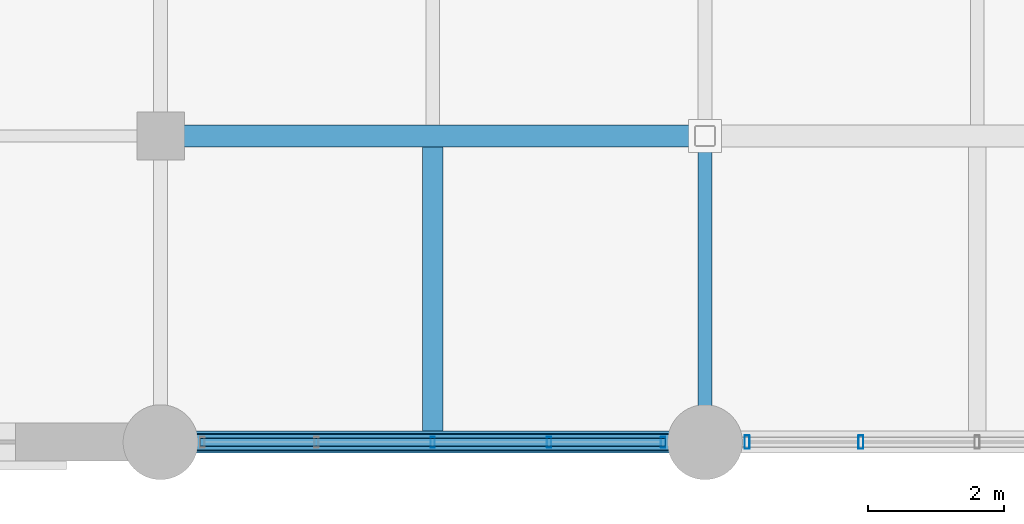
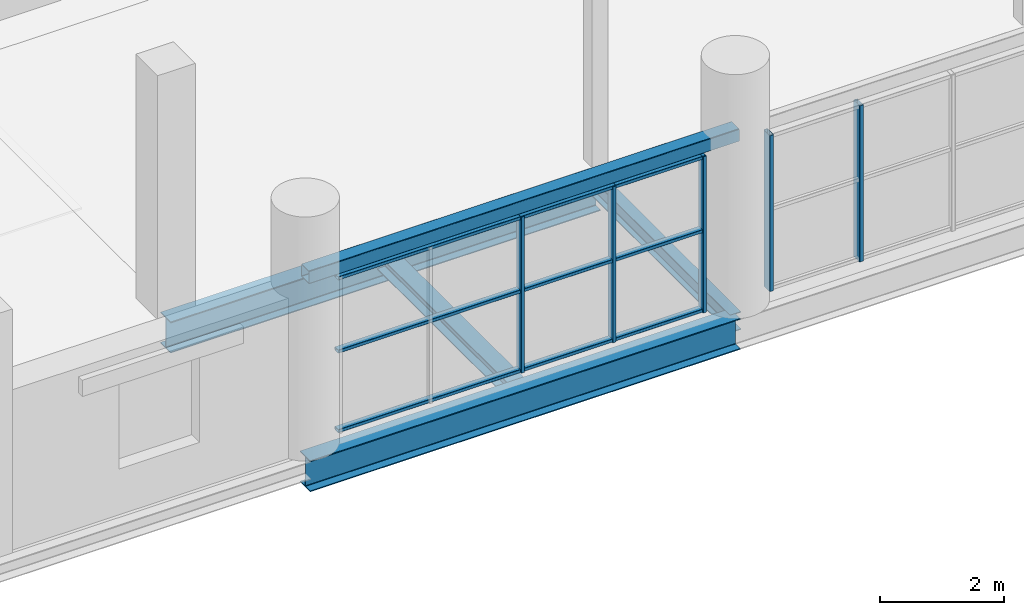
# One storey, part 15 of 114: 8 members, 5 beams, 2 elements without a shape of their own.
"""IFC4 building model written with IfcOpenShell, lengths in metres."""

from ifc_helpers import new_model, si_unit, direction, frame, origin, origin_2d, place, context, subcontext, project, spatial, hollow_rectangle, i_section, extrude, material, material_profile, profile_set, type_object, element, aggregate, save


model = new_model("IFC4")

# Units and contexts
model_context = context("Model", 3, precision=1e-05, world=origin(), true_north=direction((0.0, 1.0)))
body_context = subcontext(model_context, "Body", "Model", "MODEL_VIEW")
ifc_project = project(units=[si_unit("LENGTHUNIT", "METRE"), si_unit("AREAUNIT", "SQUARE_METRE"), si_unit("VOLUMEUNIT", "CUBIC_METRE"), si_unit("PLANEANGLEUNIT", "RADIAN"), si_unit("MASSUNIT", "GRAM", prefix="KILO")], contexts=[model_context])

# Site, building, storey
site_placement = place(None, origin())
site = spatial("IfcSite", under=ifc_project, at=site_placement, CompositionType="ELEMENT")
building_placement = place(site_placement, origin())
building = spatial("IfcBuilding", under=site, at=building_placement, Name="Verrall Gate Interchange", CompositionType="ELEMENT")
storey_placement = place(building_placement, frame((0.0, 0.0, 6.60009765625)))
storey = spatial("IfcBuildingStorey", under=building, at=storey_placement, Name="L02", CompositionType="ELEMENT", Elevation=6.60009765625)

# Beams
ifc_material_1 = material(Name="Structural Steel CSA G40.21 350WT Cat 4", Category="steel")
ifc_material_profile_1 = material_profile(ifc_material_1, i_section(OverallWidth=0.323974609375, OverallDepth=0.611083984375, WebThickness=0.0126953125, FlangeThickness=0.01904296875, FilletRadius=0.014892578125, at=origin_2d()), Name="W610x155")
ifc_profile_set_1 = profile_set([ifc_material_profile_1], Name="Structural Steel CSA G40.21 350WT Cat 4")
beam_type_1 = type_object("IfcBeamType", Name="B-08 Structural Beam W610x155", PredefinedType="BEAM", material=ifc_profile_set_1)
for number, where, z_axis, x_axis, name in (
    (1, (36.0, 0.0, -0.585693359375), (1.0, 0.0, 0.0), (0.0, 1.0, 0.0), "L02 Girder BM-L02-1441 (B-08)"),
    (2, (36.0, 4.5, -0.585693359375), (1.0, 0.0, 0.0), (0.0, 1.0, 0.0), "L02 Girder BM-L02-1457 (B-08)"),
):
    element("IfcBeam", number, at=place(storey_placement, frame(where, z_axis=z_axis, x_axis=x_axis)), inside=storey, type_object=beam_type_1, Name=name, PredefinedType="BEAM", context=body_context, shape_type="SweptSolid", body=[
        extrude(i_section(OverallWidth=0.323974609375, OverallDepth=0.611083984375, WebThickness=0.0126953125, FlangeThickness=0.01904296875, FilletRadius=0.014892578125, at=origin_2d()), origin(), (0.0, 0.0, 1.0), 8.0),
    ])
ifc_material_2 = material(Name="Structural Steel CSA G40.21 350W", Category="steel")
ifc_material_profile_2 = material_profile(ifc_material_2, i_section(OverallWidth=0.205078125, OverallDepth=0.35400390625, WebThickness=0.009521484375, FlangeThickness=0.016845703125, FilletRadius=0.012939453125, at=origin_2d()), Name="W360x79")
ifc_profile_set_2 = profile_set([ifc_material_profile_2], Name="Structural Steel CSA G40.21 350W")
beam_type_2 = type_object("IfcBeamType", Name="B-14 Structural Beam W360x79", PredefinedType="BEAM", material=ifc_profile_set_2)
beam_1_placement = place(storey_placement, frame((44.0, 0.0, -0.45703125), z_axis=(0.0, 1.0, 0.0), x_axis=(-1.0, 0.0, 0.0)))
element("IfcBeam", 3, at=beam_1_placement, inside=storey, type_object=beam_type_2, Name="L02 Girder BM-L02-1732 (B-14)", PredefinedType="BEAM", context=body_context, shape_type="SweptSolid", body=[
    extrude(i_section(OverallWidth=0.205078125, OverallDepth=0.35400390625, WebThickness=0.009521484375, FlangeThickness=0.016845703125, FilletRadius=0.012939453125, at=origin_2d()), origin(), (0.0, 0.0, 1.0), 4.5),
])

# Curtain wall, members
ifc_material_3 = material(Name="Thermally Broken Anodized Aluminium Curtain Wall Framing", Category="aluminium")
curtain_wall_type = type_object("IfcCurtainWallType", Name="CW-14 Unitized Curtain Wall 6836x3070", PredefinedType="NOTDEFINED", material=ifc_material_3)
curtain_wall_1_placement = place(storey_placement, origin())
curtain_wall_1 = element("IfcCurtainWall", 4, at=curtain_wall_1_placement, inside=storey, type_object=curtain_wall_type, Name="L02 Unitized Curtain Wall CW-L02-052", PredefinedType="NOTDEFINED")
ifc_material_4 = material(Name="Thermally Broken Anodized Aluminium Curtain Wall Framing", Category="aluminium")
ifc_material_profile_3 = material_profile(ifc_material_4, hollow_rectangle(XDim=0.06494140625, YDim=0.159912109375, WallThickness=0.00390625, InnerFilletRadius=0.00390625, OuterFilletRadius=0.008056640625, at=origin_2d()), Name="CWM160x65x4")
ifc_profile_set_3 = profile_set([ifc_material_profile_3], Name="Thermally Broken Anodized Aluminium Curtain Wall Framing")
member_type_1 = type_object("IfcMemberType", Name="CM-01 Curtain Mullion CWM160x65x4", PredefinedType="MULLION", material=ifc_profile_set_3)
member_1_placement = place(storey_placement, frame((40.0, 0.0, 0.0), z_axis=(0.0, 0.0, 1.0), x_axis=(1.0, 0.0, 0.0)))
member_1 = element("IfcMember", 5, at=member_1_placement, type_object=member_type_1, Name="CW-L02-052 Mullion 3", PredefinedType="MULLION", context=body_context, shape_type="SweptSolid", body=[
    extrude(hollow_rectangle(XDim=0.06494140625, YDim=0.159912109375, WallThickness=0.00390625, InnerFilletRadius=0.00390625, OuterFilletRadius=0.008056640625, at=origin_2d()), origin(), (0.0, 0.0, 1.0), 3.06982421875),
])
member_2_placement = place(storey_placement, frame((41.708984375, 0.0, 0.0), z_axis=(0.0, 0.0, 1.0), x_axis=(1.0, 0.0, 0.0)))
member_2 = element("IfcMember", 6, at=member_2_placement, type_object=member_type_1, Name="CW-L02-052 Mullion 4", PredefinedType="MULLION", context=body_context, shape_type="SweptSolid", body=[
    extrude(hollow_rectangle(XDim=0.06494140625, YDim=0.159912109375, WallThickness=0.00390625, InnerFilletRadius=0.00390625, OuterFilletRadius=0.008056640625, at=origin_2d()), origin(), (0.0, 0.0, 1.0), 3.06982421875),
])
member_3_placement = place(storey_placement, frame((43.385498046875, 0.0, 0.0), z_axis=(0.0, 0.0, 1.0), x_axis=(1.0, 0.0, 0.0)))
member_3 = element("IfcMember", 7, at=member_3_placement, type_object=member_type_1, Name="CW-L02-052 Mullion 5", PredefinedType="MULLION", context=body_context, shape_type="SweptSolid", body=[
    extrude(hollow_rectangle(XDim=0.06494140625, YDim=0.159912109375, WallThickness=0.00390625, InnerFilletRadius=0.00390625, OuterFilletRadius=0.008056640625, at=origin_2d()), origin(), (0.0, 0.0, 1.0), 3.06982421875),
])

curtain_wall_2_placement = place(storey_placement, origin())
curtain_wall_2 = element("IfcCurtainWall", 8, at=curtain_wall_2_placement, inside=storey, type_object=curtain_wall_type, Name="L02 Unitized Curtain Wall CW-L02-053", PredefinedType="NOTDEFINED")
ifc_material_5 = material(Name="Thermally Broken Anodized Aluminium Curtain Wall Framing", Category="aluminium")
ifc_material_profile_4 = material_profile(ifc_material_5, hollow_rectangle(XDim=0.074951171875, YDim=0.199951171875, WallThickness=0.0048828125, InnerFilletRadius=0.0048828125, OuterFilletRadius=0.010009765625, at=origin_2d()), Name="CWM200x75x5")
ifc_profile_set_4 = profile_set([ifc_material_profile_4], Name="Thermally Broken Anodized Aluminium Curtain Wall Framing")
member_type_2 = type_object("IfcMemberType", Name="CM-02 Curtain Mullion CWM200x75x5", PredefinedType="MULLION", material=ifc_profile_set_4)
member_4_placement = place(storey_placement, frame((44.619384765625, 0.0, 0.0), z_axis=(0.0, 0.0, 1.0), x_axis=(1.0, 0.0, 0.0)))
member_4 = element("IfcMember", 9, at=member_4_placement, type_object=member_type_2, Name="CW-L02-053 Mullion 1", PredefinedType="MULLION", context=body_context, shape_type="SweptSolid", body=[
    extrude(hollow_rectangle(XDim=0.074951171875, YDim=0.199951171875, WallThickness=0.0048828125, InnerFilletRadius=0.0048828125, OuterFilletRadius=0.010009765625, at=origin_2d()), origin(), (0.0, 0.0, 1.0), 3.06982421875),
])
member_5_placement = place(storey_placement, frame((46.291015625, 0.0, 0.0), z_axis=(0.0, 0.0, 1.0), x_axis=(1.0, 0.0, 0.0)))
member_5 = element("IfcMember", 10, at=member_5_placement, type_object=member_type_2, Name="CW-L02-053 Mullion 2", PredefinedType="MULLION", context=body_context, shape_type="SweptSolid", body=[
    extrude(hollow_rectangle(XDim=0.074951171875, YDim=0.199951171875, WallThickness=0.0048828125, InnerFilletRadius=0.0048828125, OuterFilletRadius=0.010009765625, at=origin_2d()), origin(), (0.0, 0.0, 1.0), 3.06982421875),
])
aggregate(curtain_wall_2, [member_4, member_5])

# Member
ifc_material_6 = material(Name="Thermally Broken Anodized Aluminium Curtain Wall Framing", Category="aluminium")
ifc_material_profile_5 = material_profile(ifc_material_6, hollow_rectangle(XDim=0.1201171875, YDim=0.06494140625, WallThickness=0.00390625, InnerFilletRadius=0.00390625, OuterFilletRadius=0.008056640625, at=origin_2d()), Name="CWT120x65x4")
ifc_profile_set_5 = profile_set([ifc_material_profile_5], Name="Thermally Broken Anodized Aluminium Curtain Wall Framing")
member_type_3 = type_object("IfcMemberType", Name="CT-01 Curtain Transom CWT120x65x4", PredefinedType="USERDEFINED", material=ifc_profile_set_5)
member_6_placement = place(storey_placement, frame((36.58203125, 0.0, 0.032470703125), z_axis=(1.0, 0.0, 0.0), x_axis=(0.0, 1.0, 0.0)))
member_6 = element("IfcMember", 11, at=member_6_placement, type_object=member_type_3, Name="CW-L02-052 Transom 1", ObjectType="TRANSOM", PredefinedType="USERDEFINED", context=body_context, shape_type="SweptSolid", body=[
    extrude(hollow_rectangle(XDim=0.1201171875, YDim=0.06494140625, WallThickness=0.00390625, InnerFilletRadius=0.00390625, OuterFilletRadius=0.008056640625, at=origin_2d()), origin(), (0.0, 0.0, 1.0), 6.8359375),
])

member_7_placement = place(storey_placement, frame((36.58203125, 0.0, 1.59619140625), z_axis=(1.0, 0.0, 0.0), x_axis=(0.0, 1.0, 0.0)))
member_7 = element("IfcMember", 12, at=member_7_placement, type_object=member_type_3, Name="CW-L02-052 Transom 2", ObjectType="TRANSOM", PredefinedType="USERDEFINED", context=body_context, shape_type="SweptSolid", body=[
    extrude(hollow_rectangle(XDim=0.1201171875, YDim=0.06494140625, WallThickness=0.00390625, InnerFilletRadius=0.00390625, OuterFilletRadius=0.008056640625, at=origin_2d()), origin(), (0.0, 0.0, 1.0), 6.8359375),
])

member_8_placement = place(storey_placement, frame((36.58203125, 0.0, 3.037353515625), z_axis=(1.0, 0.0, 0.0), x_axis=(0.0, 1.0, 0.0)))
member_8 = element("IfcMember", 13, at=member_8_placement, type_object=member_type_3, Name="CW-L02-052 Transom 3", ObjectType="TRANSOM", PredefinedType="USERDEFINED", context=body_context, shape_type="SweptSolid", body=[
    extrude(hollow_rectangle(XDim=0.1201171875, YDim=0.06494140625, WallThickness=0.00390625, InnerFilletRadius=0.00390625, OuterFilletRadius=0.008056640625, at=origin_2d()), origin(), (0.0, 0.0, 1.0), 6.8359375),
])

aggregate(curtain_wall_1, [member_1, member_2, member_3, member_6, member_7, member_8])

# Beams
ifc_material_7 = material(Name="Structural Steel CSA G40.21 350W", Category="steel")
ifc_material_profile_6 = material_profile(ifc_material_7, i_section(OverallWidth=0.306884765625, OverallDepth=0.31396484375, WebThickness=0.011962890625, FlangeThickness=0.018798828125, FilletRadius=0.013916015625, at=origin_2d()), Name="W310x118")
ifc_profile_set_6 = profile_set([ifc_material_profile_6], Name="Structural Steel CSA G40.21 350W")
beam_type_3 = type_object("IfcBeamType", Name="J-02 Floor Joist W310x118", PredefinedType="JOIST", material=ifc_profile_set_6)
beam_2_placement = place(storey_placement, frame((40.0, 0.162109375, -0.43701171875), z_axis=(0.0, 1.0, 0.0), x_axis=(-1.0, 0.0, 0.0)))
element("IfcBeam", 14, at=beam_2_placement, inside=storey, type_object=beam_type_3, Name="L02 Secondary Floor Joist JST-L02-1844", PredefinedType="JOIST", context=body_context, shape_type="SweptSolid", body=[
    extrude(i_section(OverallWidth=0.306884765625, OverallDepth=0.31396484375, WebThickness=0.011962890625, FlangeThickness=0.018798828125, FilletRadius=0.013916015625, at=origin_2d()), origin(), (0.0, 0.0, 1.0), 4.17578125),
])
ifc_material_8 = material(Name="Structural Steel CSA G40.21 350W", Category="steel")
ifc_material_profile_7 = material_profile(ifc_material_8, hollow_rectangle(XDim=0.25390625, YDim=0.25390625, WallThickness=0.009521484375, InnerFilletRadius=0.009521484375, OuterFilletRadius=0.01904296875, at=origin_2d()), Name="HSS254x254x9.5")
ifc_profile_set_7 = profile_set([ifc_material_profile_7], Name="Structural Steel CSA G40.21 350W")
beam_type_4 = type_object("IfcBeamType", Name="LN-03 Portal Lintel HSS254x254x9.5", PredefinedType="LINTEL", material=ifc_profile_set_7)
beam_3_placement = place(storey_placement, frame((36.0, 0.0, 3.2998046875), z_axis=(1.0, 0.0, 0.0), x_axis=(0.0, 1.0, 0.0)))
element("IfcBeam", 15, at=beam_3_placement, inside=storey, type_object=beam_type_4, Name="Classical Portal Lintel 019", PredefinedType="LINTEL", context=body_context, shape_type="SweptSolid", body=[
    extrude(hollow_rectangle(XDim=0.25390625, YDim=0.25390625, WallThickness=0.009521484375, InnerFilletRadius=0.009521484375, OuterFilletRadius=0.01904296875, at=origin_2d()), origin(), (0.0, 0.0, 1.0), 8.0),
])

save(model, "model.ifc")
